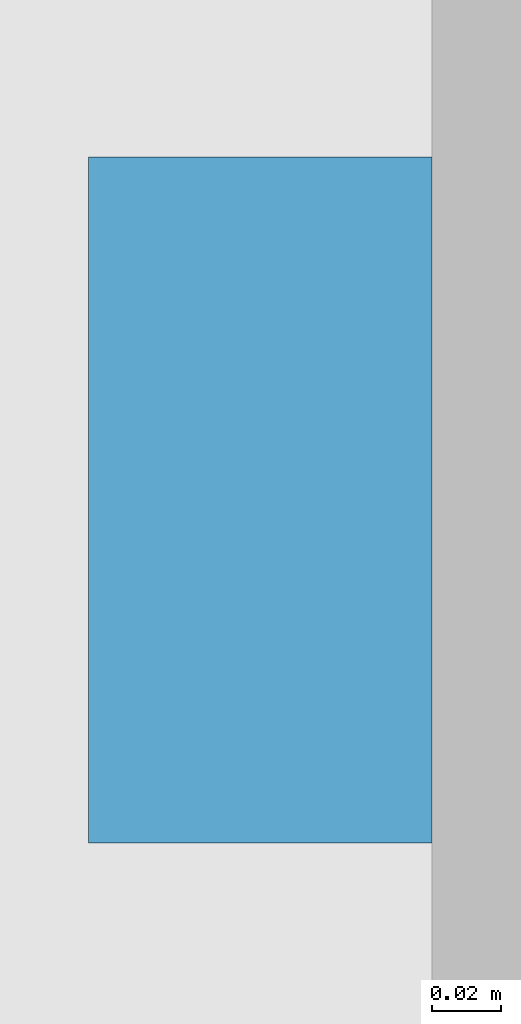
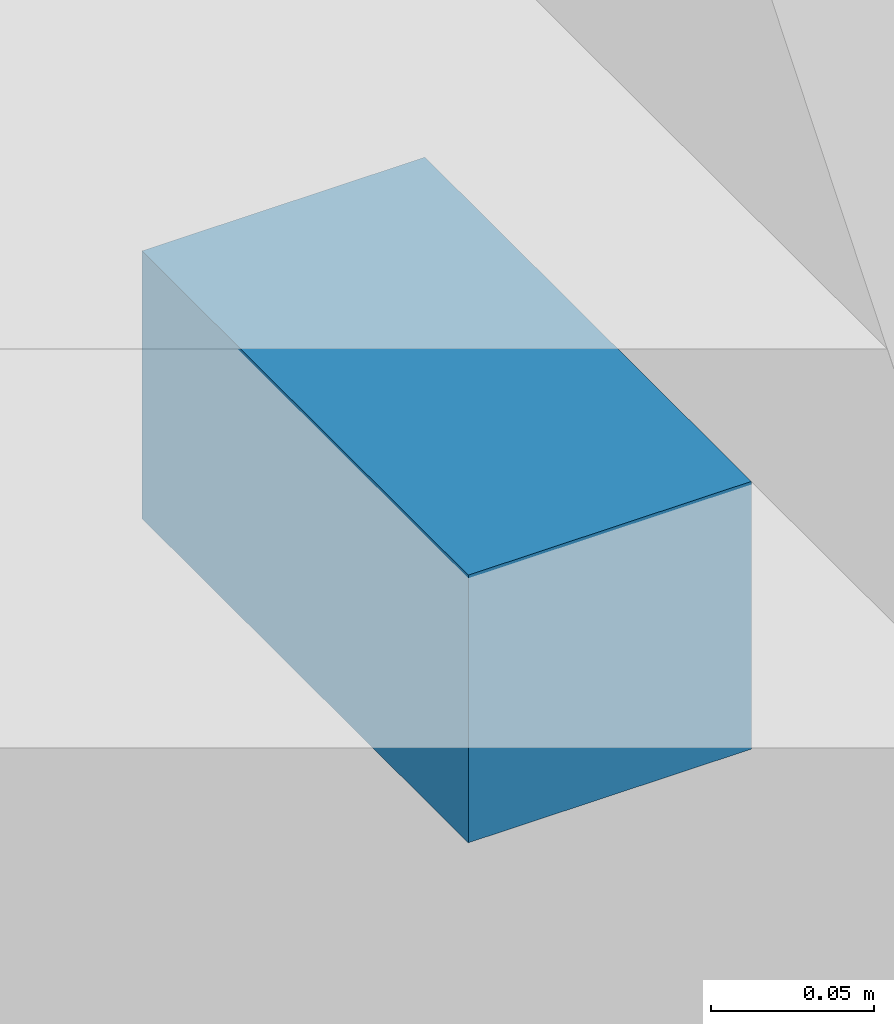
# One storey, part 15 of 16: 1 discrete accessory.
"""IFC4 building model written with IfcOpenShell, lengths in metres."""

from ifc_helpers import new_model, si_unit, direction, frame, origin, origin_2d, place, context, subcontext, project, spatial, rectangle, extrude, element, save


model = new_model("IFC4")

# Units and contexts
model_context = context("Model", 3, precision=1e-05, world=origin(), true_north=direction((0.0, 1.0)))
body_context = subcontext(model_context, "Body", "Model", "MODEL_VIEW")
ifc_project = project(units=[si_unit("LENGTHUNIT", "METRE"), si_unit("AREAUNIT", "SQUARE_METRE"), si_unit("VOLUMEUNIT", "CUBIC_METRE"), si_unit("PLANEANGLEUNIT", "RADIAN"), si_unit("MASSUNIT", "GRAM", prefix="KILO")], contexts=[model_context])

# Site, building, storey
site_placement = place(None, origin())
site = spatial("IfcSite", under=ifc_project, at=site_placement, CompositionType="ELEMENT")
building_placement = place(site_placement, origin())
building = spatial("IfcBuilding", under=site, at=building_placement, Name="Calvaro Tower", CompositionType="ELEMENT")
storey_placement = place(building_placement, frame((0.0, 0.0, 223.0)))
storey = spatial("IfcBuildingStorey", under=building, at=storey_placement, Name="L56", CompositionType="ELEMENT", Elevation=223.0)

# Discrete accessory
discrete_accessory_placement = place(storey_placement, frame((65.5, 3.60009765625, 2.349853515625), z_axis=(0.0, 0.0, 1.0), x_axis=(1.0, 0.0, 0.0)))
element("IfcDiscreteAccessory", 1, at=discrete_accessory_placement, inside=storey, Name="Brise-soleil bracket", PredefinedType="BRACKET", context=body_context, shape_type="SweptSolid", body=[
    extrude(rectangle(XDim=0.10009765625, YDim=0.199951171875, at=origin_2d()), origin(), (0.0, 0.0, 1.0), 0.10009765625),
])

save(model, "model.ifc")
